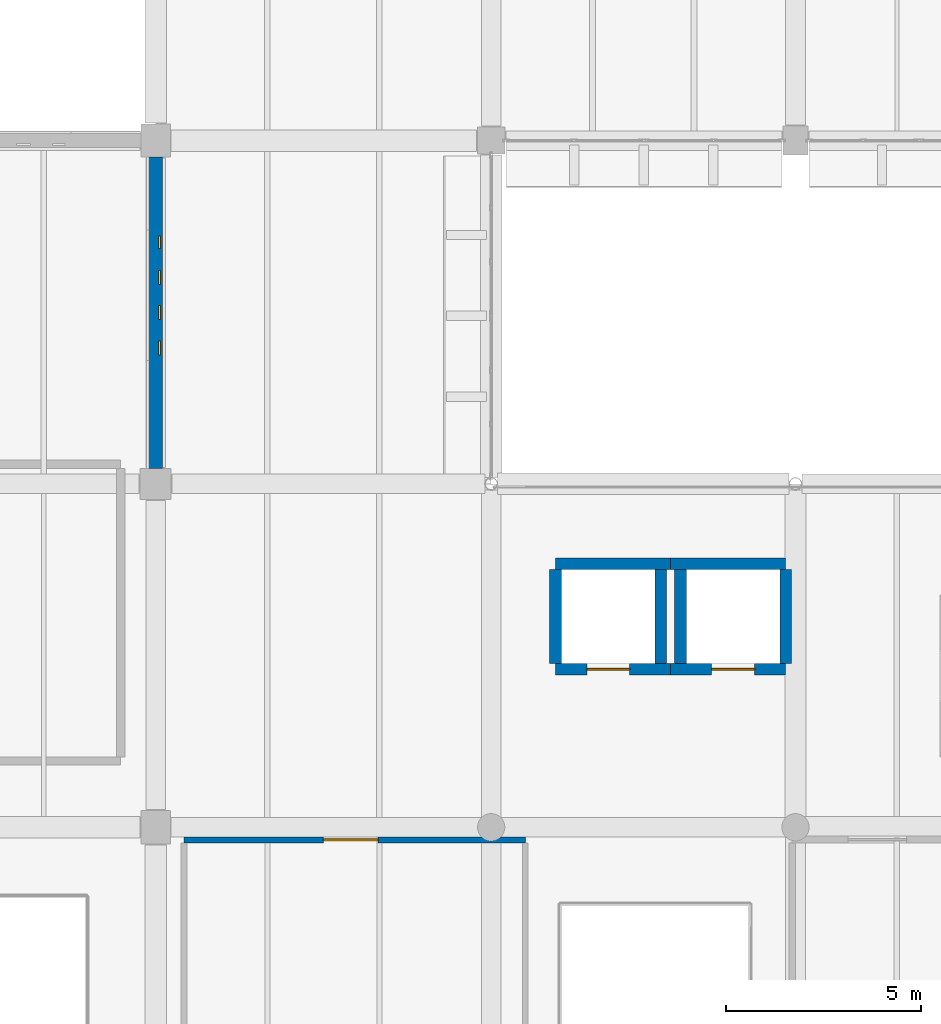
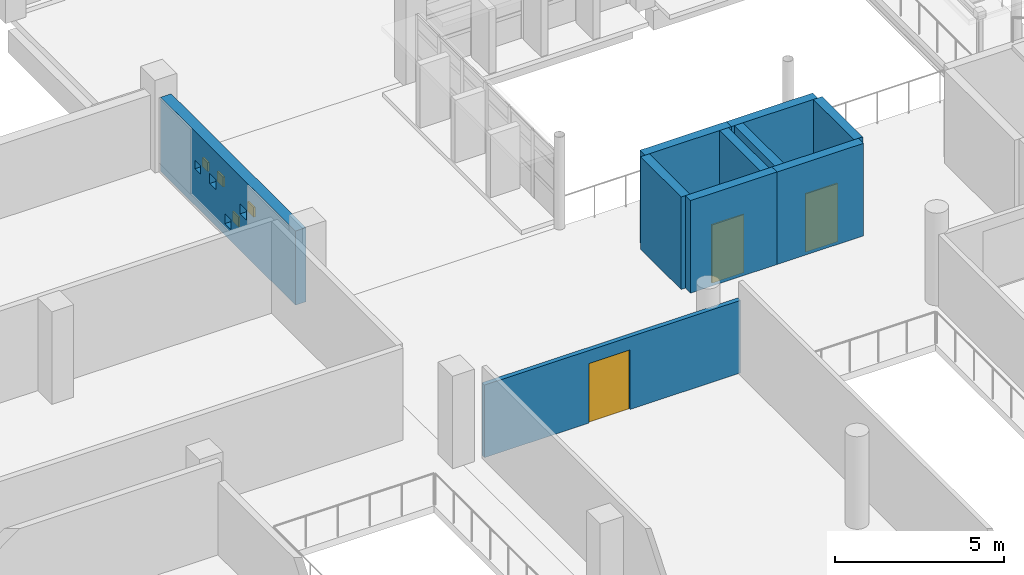
# One storey, part 58 of 75: 10 walls, 4 windows, 3 doors, 7 openings.
"""IFC4 building model written with IfcOpenShell, lengths in metres."""

from ifc_helpers import new_model, si_unit, direction, frame, frame_2d, origin, place, context, subcontext, project, spatial, rectangle, extrude, material, layer, layer_set, type_object, element, fill, save


model = new_model("IFC4")

# Units and contexts
model_context = context("Model", 3, precision=1e-05, world=origin(), true_north=direction((0.0, 1.0)))
body_context = subcontext(model_context, "Body", "Model", "MODEL_VIEW")
ifc_project = project(units=[si_unit("LENGTHUNIT", "METRE"), si_unit("AREAUNIT", "SQUARE_METRE"), si_unit("VOLUMEUNIT", "CUBIC_METRE"), si_unit("PLANEANGLEUNIT", "RADIAN"), si_unit("MASSUNIT", "GRAM", prefix="KILO")], contexts=[model_context])

# Site, building, storey
site_placement = place(None, origin())
site = spatial("IfcSite", under=ifc_project, at=site_placement, CompositionType="ELEMENT")
building_placement = place(site_placement, origin())
building = spatial("IfcBuilding", under=site, at=building_placement, Name="Varnakota Cinema and Media Centre", CompositionType="ELEMENT")
storey_placement = place(building_placement, frame((0.0, 0.0, 8.39990234375)))
storey = spatial("IfcBuildingStorey", under=building, at=storey_placement, Name="L02", CompositionType="ELEMENT", Elevation=8.39990234375)

# Wall, opening, door
ifc_material_1 = material(Name="Concrete M40", Category="concrete")
ifc_layer_1 = layer(ifc_material_1, 0.300048828125)
ifc_layer_set_1 = layer_set([ifc_layer_1], Name="Concrete M40")
wall_type_1 = type_object("IfcWallType", Name="W-CORE-300", PredefinedType="SHEAR", material=ifc_layer_set_1)
wall_1_placement = place(storey_placement, frame((56.199951171875, 21.64990234375, 0.0), z_axis=(0.0, 0.0, 1.0), x_axis=(-1.0, 0.0, 0.0)))
wall_1 = element("IfcWall", 1, at=wall_1_placement, inside=storey, type_object=wall_type_1, Name="L02 LSHAFT-LF-05-L02 S wall", PredefinedType="SHEAR", context=body_context, shape_type="SweptSolid", body=[
    extrude(rectangle(XDim=2.949951171875, YDim=0.300048828125, at=frame_2d((1.47509765625, 0.0))), origin(), (0.0, 0.0, 1.0), 3.340087890625),
])
opening_1_placement = place(wall_1_placement, frame((1.050048828125, 0.0, 0.0)))
opening_1 = element("IfcOpeningElement", 2, at=opening_1_placement, cuts=wall_1, Name="Opening LD-05", PredefinedType="OPENING", context=body_context, shape_type="SweptSolid", body=[
    extrude(rectangle(XDim=1.10009765625, YDim=2.10009765625, at=frame_2d((0.550048828125, 1.050048828125))), frame((0.0, 0.14990234375, 0.0), z_axis=(0.0, -1.0, 0.0), x_axis=(1.0, 0.0, 0.0)), (0.0, 0.0, 1.0), 0.300048828125),
])
ifc_material_2 = material(Name="Thermally broken anodised aluminium AW-6063", Category="aluminium")
door_type_1 = type_object("IfcDoorType", Name="DR-LIFT-1100x2100", OperationType="SLIDING_TO_LEFT", PredefinedType="DOOR", material=ifc_material_2)
door_1_placement = place(opening_1_placement, origin())
door_1 = element("IfcDoor", 3, at=door_1_placement, inside=storey, type_object=door_type_1, Name="L02 door LD-05", OperationType="SLIDING_TO_LEFT", OverallHeight=2.10009765625, OverallWidth=1.10009765625, PredefinedType="DOOR", context=body_context, shape_type="SweptSolid", body=[
    extrude(rectangle(XDim=1.10009765625, YDim=2.10009765625, at=frame_2d((0.550048828125, 1.050048828125))), frame((0.0, 0.02490234375, 0.0), z_axis=(0.0, -1.0, 0.0), x_axis=(1.0, 0.0, 0.0)), (0.0, 0.0, 1.0), 0.050048828125),
])
fill(opening_1, door_1)

# Walls
wall_2_placement = place(storey_placement, frame((53.25, 21.800048828125, 0.0), z_axis=(0.0, 0.0, 1.0), x_axis=(0.0, 1.0, 0.0)))
element("IfcWall", 4, at=wall_2_placement, inside=storey, type_object=wall_type_1, Name="L02 LSHAFT-LF-05-L02 W wall", PredefinedType="SHEAR", context=body_context, shape_type="SweptSolid", body=[
    extrude(rectangle(XDim=2.39990234375, YDim=0.300048828125, at=frame_2d((1.199951171875, 0.0))), origin(), (0.0, 0.0, 1.0), 3.340087890625),
])
wall_3_placement = place(storey_placement, frame((53.25, 24.35009765625, 0.0), z_axis=(0.0, 0.0, 1.0), x_axis=(1.0, 0.0, 0.0)))
element("IfcWall", 5, at=wall_3_placement, inside=storey, type_object=wall_type_1, Name="L02 LSHAFT-LF-05-L02 N wall", PredefinedType="SHEAR", context=body_context, shape_type="SweptSolid", body=[
    extrude(rectangle(XDim=2.949951171875, YDim=0.300048828125, at=frame_2d((1.47509765625, 0.0))), origin(), (0.0, 0.0, 1.0), 3.340087890625),
])
wall_4_placement = place(storey_placement, frame((55.949951171875, 24.199951171875, 0.0), z_axis=(0.0, 0.0, 1.0), x_axis=(0.0, -1.0, 0.0)))
element("IfcWall", 6, at=wall_4_placement, inside=storey, type_object=wall_type_1, Name="L02 LSHAFT-LF-05-L02 E wall", PredefinedType="SHEAR", context=body_context, shape_type="SweptSolid", body=[
    extrude(rectangle(XDim=2.39990234375, YDim=0.300048828125, at=frame_2d((1.199951171875, 0.0))), origin(), (0.0, 0.0, 1.0), 3.340087890625),
])

# Wall, opening, door
wall_5_placement = place(storey_placement, frame((59.14990234375, 21.64990234375, 0.0), z_axis=(0.0, 0.0, 1.0), x_axis=(-1.0, 0.0, 0.0)))
wall_5 = element("IfcWall", 7, at=wall_5_placement, inside=storey, type_object=wall_type_1, Name="L02 LSHAFT-LF-06-L02 S wall", PredefinedType="SHEAR", context=body_context, shape_type="SweptSolid", body=[
    extrude(rectangle(XDim=2.949951171875, YDim=0.300048828125, at=frame_2d((1.47509765625, 0.0))), origin(), (0.0, 0.0, 1.0), 3.340087890625),
])
opening_2_placement = place(wall_5_placement, frame((0.800048828125, 0.0, 0.0)))
opening_2 = element("IfcOpeningElement", 8, at=opening_2_placement, cuts=wall_5, Name="Opening LD-06", PredefinedType="OPENING", context=body_context, shape_type="SweptSolid", body=[
    extrude(rectangle(XDim=1.10009765625, YDim=2.10009765625, at=frame_2d((0.550048828125, 1.050048828125))), frame((0.0, 0.14990234375, 0.0), z_axis=(0.0, -1.0, 0.0), x_axis=(1.0, 0.0, 0.0)), (0.0, 0.0, 1.0), 0.300048828125),
])
door_2_placement = place(opening_2_placement, origin())
door_2 = element("IfcDoor", 9, at=door_2_placement, inside=storey, type_object=door_type_1, Name="L02 door LD-06", OperationType="SLIDING_TO_LEFT", OverallHeight=2.10009765625, OverallWidth=1.10009765625, PredefinedType="DOOR", context=body_context, shape_type="SweptSolid", body=[
    extrude(rectangle(XDim=1.10009765625, YDim=2.10009765625, at=frame_2d((0.550048828125, 1.050048828125))), frame((0.0, 0.02490234375, 0.0), z_axis=(0.0, -1.0, 0.0), x_axis=(1.0, 0.0, 0.0)), (0.0, 0.0, 1.0), 0.050048828125),
])
fill(opening_2, door_2)

# Walls
wall_6_placement = place(storey_placement, frame((56.449951171875, 21.800048828125, 0.0), z_axis=(0.0, 0.0, 1.0), x_axis=(0.0, 1.0, 0.0)))
element("IfcWall", 10, at=wall_6_placement, inside=storey, type_object=wall_type_1, Name="L02 LSHAFT-LF-06-L02 W wall", PredefinedType="SHEAR", context=body_context, shape_type="SweptSolid", body=[
    extrude(rectangle(XDim=2.39990234375, YDim=0.300048828125, at=frame_2d((1.199951171875, 0.0))), origin(), (0.0, 0.0, 1.0), 3.340087890625),
])
wall_7_placement = place(storey_placement, frame((56.199951171875, 24.35009765625, 0.0), z_axis=(0.0, 0.0, 1.0), x_axis=(1.0, 0.0, 0.0)))
element("IfcWall", 11, at=wall_7_placement, inside=storey, type_object=wall_type_1, Name="L02 LSHAFT-LF-06-L02 N wall", PredefinedType="SHEAR", context=body_context, shape_type="SweptSolid", body=[
    extrude(rectangle(XDim=2.949951171875, YDim=0.300048828125, at=frame_2d((1.47509765625, 0.0))), origin(), (0.0, 0.0, 1.0), 3.340087890625),
])
wall_8_placement = place(storey_placement, frame((59.14990234375, 24.199951171875, 0.0), z_axis=(0.0, 0.0, 1.0), x_axis=(0.0, -1.0, 0.0)))
element("IfcWall", 12, at=wall_8_placement, inside=storey, type_object=wall_type_1, Name="L02 LSHAFT-LF-06-L02 E wall", PredefinedType="SHEAR", context=body_context, shape_type="SweptSolid", body=[
    extrude(rectangle(XDim=2.39990234375, YDim=0.300048828125, at=frame_2d((1.199951171875, 0.0))), origin(), (0.0, 0.0, 1.0), 3.340087890625),
])

# Wall, openings, windows
ifc_material_3 = material(Name="Pale Tandur limestone cladding", Category="masonry")
ifc_layer_2 = layer(ifc_material_3, 0.360107421875)
ifc_layer_set_2 = layer_set([ifc_layer_2], Name="Pale Tandur limestone cladding")
wall_type_2 = type_object("IfcWallType", Name="W-EXT-TANDUR-360", PredefinedType="SOLIDWALL", material=ifc_layer_set_2)
wall_9_placement = place(storey_placement, frame((43.0, 26.800048828125, 0.0), z_axis=(0.0, 0.0, 1.0), x_axis=(0.0, 1.0, 0.0)))
wall_9 = element("IfcWall", 13, at=wall_9_placement, inside=storey, type_object=wall_type_2, Name="L02 V4 pale Tandur stone monolith wall V4-CHE-01", PredefinedType="SOLIDWALL", context=body_context, shape_type="SweptSolid", body=[
    extrude(rectangle(XDim=7.974853515625, YDim=0.360107421875, at=frame_2d((3.9873046875, 0.0))), origin(), (0.0, 0.0, 1.0), 2.675048828125),
])
opening_3_placement = place(wall_9_placement, frame((2.907470703125, 0.0, 1.320068359375)))
opening_3 = element("IfcOpeningElement", 14, at=opening_3_placement, cuts=wall_9, Name="Opening WP11", PredefinedType="OPENING", context=body_context, shape_type="SweptSolid", body=[
    extrude(rectangle(XDim=0.360107421875, YDim=0.360107421875, at=frame_2d((0.18017578125, 0.18017578125))), frame((0.0, 0.18017578125, 0.0), z_axis=(0.0, -1.0, 0.0), x_axis=(1.0, 0.0, 0.0)), (0.0, 0.0, 1.0), 0.360107421875),
])
opening_4_placement = place(wall_9_placement, frame((3.8076171875, 0.0, 0.419921875)))
opening_4 = element("IfcOpeningElement", 15, at=opening_4_placement, cuts=wall_9, Name="Opening WP11", PredefinedType="OPENING", context=body_context, shape_type="SweptSolid", body=[
    extrude(rectangle(XDim=0.360107421875, YDim=0.360107421875, at=frame_2d((0.18017578125, 0.18017578125))), frame((0.0, 0.18017578125, 0.0), z_axis=(0.0, -1.0, 0.0), x_axis=(1.0, 0.0, 0.0)), (0.0, 0.0, 1.0), 0.360107421875),
])
opening_5_placement = place(wall_9_placement, frame((4.70751953125, 0.0, 1.320068359375)))
opening_5 = element("IfcOpeningElement", 16, at=opening_5_placement, cuts=wall_9, Name="Opening WP11", PredefinedType="OPENING", context=body_context, shape_type="SweptSolid", body=[
    extrude(rectangle(XDim=0.360107421875, YDim=0.360107421875, at=frame_2d((0.18017578125, 0.18017578125))), frame((0.0, 0.18017578125, 0.0), z_axis=(0.0, -1.0, 0.0), x_axis=(1.0, 0.0, 0.0)), (0.0, 0.0, 1.0), 0.360107421875),
])
opening_6_placement = place(wall_9_placement, frame((5.62744140625, 0.0, 1.320068359375)))
opening_6 = element("IfcOpeningElement", 17, at=opening_6_placement, cuts=wall_9, Name="Opening WP13", PredefinedType="OPENING", context=body_context, shape_type="SweptSolid", body=[
    extrude(rectangle(XDim=0.320068359375, YDim=0.320068359375, at=frame_2d((0.16015625, 0.16015625))), frame((0.0, 0.18017578125, 0.0), z_axis=(0.0, -1.0, 0.0), x_axis=(1.0, 0.0, 0.0)), (0.0, 0.0, 1.0), 0.360107421875),
])
ifc_material_4 = material(Name="Laminated solar-control double glazing", Category="glass")
window_type_1 = type_object("IfcWindowType", Name="WIN-PIERCE-11", PartitioningType="SINGLE_PANEL", PredefinedType="WINDOW", material=ifc_material_4)
window_1_placement = place(opening_3_placement, origin())
window_1 = element("IfcWindow", 18, at=window_1_placement, inside=storey, type_object=window_type_1, Name="L02 window WP11", OverallHeight=0.360107421875, OverallWidth=0.360107421875, PartitioningType="SINGLE_PANEL", PredefinedType="WINDOW", context=body_context, shape_type="SweptSolid", body=[
    extrude(rectangle(XDim=0.360107421875, YDim=0.360107421875, at=frame_2d((0.18017578125, 0.18017578125))), frame((0.0, -0.070068359375, 0.0), z_axis=(0.0, -1.0, 0.0), x_axis=(1.0, 0.0, 0.0)), (0.0, 0.0, 1.0), 0.06005859375),
])
fill(opening_3, window_1)
window_2_placement = place(opening_4_placement, origin())
window_2 = element("IfcWindow", 19, at=window_2_placement, inside=storey, type_object=window_type_1, Name="L02 window WP11", OverallHeight=0.360107421875, OverallWidth=0.360107421875, PartitioningType="SINGLE_PANEL", PredefinedType="WINDOW", context=body_context, shape_type="SweptSolid", body=[
    extrude(rectangle(XDim=0.360107421875, YDim=0.360107421875, at=frame_2d((0.18017578125, 0.18017578125))), frame((0.0, -0.070068359375, 0.0), z_axis=(0.0, -1.0, 0.0), x_axis=(1.0, 0.0, 0.0)), (0.0, 0.0, 1.0), 0.06005859375),
])
fill(opening_4, window_2)
window_3_placement = place(opening_5_placement, origin())
window_3 = element("IfcWindow", 20, at=window_3_placement, inside=storey, type_object=window_type_1, Name="L02 window WP11", OverallHeight=0.360107421875, OverallWidth=0.360107421875, PartitioningType="SINGLE_PANEL", PredefinedType="WINDOW", context=body_context, shape_type="SweptSolid", body=[
    extrude(rectangle(XDim=0.360107421875, YDim=0.360107421875, at=frame_2d((0.18017578125, 0.18017578125))), frame((0.0, -0.070068359375, 0.0), z_axis=(0.0, -1.0, 0.0), x_axis=(1.0, 0.0, 0.0)), (0.0, 0.0, 1.0), 0.06005859375),
])
fill(opening_5, window_3)
ifc_material_5 = material(Name="Laminated solar-control double glazing", Category="glass")
window_type_2 = type_object("IfcWindowType", Name="WIN-PIERCE-13", PartitioningType="SINGLE_PANEL", PredefinedType="WINDOW", material=ifc_material_5)
window_4_placement = place(opening_6_placement, origin())
window_4 = element("IfcWindow", 21, at=window_4_placement, inside=storey, type_object=window_type_2, Name="L02 window WP13", OverallHeight=0.320068359375, OverallWidth=0.320068359375, PartitioningType="SINGLE_PANEL", PredefinedType="WINDOW", context=body_context, shape_type="SweptSolid", body=[
    extrude(rectangle(XDim=0.320068359375, YDim=0.320068359375, at=frame_2d((0.16015625, 0.16015625))), frame((0.0, -0.070068359375, 0.0), z_axis=(0.0, -1.0, 0.0), x_axis=(1.0, 0.0, 0.0)), (0.0, 0.0, 1.0), 0.06005859375),
])
fill(opening_6, window_4)

# Wall, opening, door
ifc_material_6 = material(Name="Autoclaved aerated concrete blockwork", Category="masonry")
ifc_layer_3 = layer(ifc_material_6, 0.14990234375)
ifc_layer_set_3 = layer_set([ifc_layer_3], Name="Autoclaved aerated concrete blockwork")
wall_type_3 = type_object("IfcWallType", Name="W-PART-150", PredefinedType="PARTITIONING", material=ifc_layer_set_3)
wall_10_placement = place(storey_placement, frame((43.72509765625, 17.27490234375, 0.0), z_axis=(0.0, 0.0, 1.0), x_axis=(1.0, 0.0, 0.0)))
wall_10 = element("IfcWall", 22, at=wall_10_placement, inside=storey, type_object=wall_type_3, Name="L02 RWALL-RM-L02-LIBW N wall", PredefinedType="PARTITIONING", context=body_context, shape_type="SweptSolid", body=[
    extrude(rectangle(XDim=8.75, YDim=0.14990234375, at=frame_2d((4.375, 0.0))), origin(), (0.0, 0.0, 1.0), 2.6201171875),
])
opening_7_placement = place(wall_10_placement, frame((3.574951171875, 0.0, 0.0)))
opening_7 = element("IfcOpeningElement", 23, at=opening_7_placement, cuts=wall_10, Name="Opening D-079", PredefinedType="OPENING", context=body_context, shape_type="SweptSolid", body=[
    extrude(rectangle(XDim=1.39990234375, YDim=2.14990234375, at=frame_2d((0.699951171875, 1.074951171875))), frame((0.0, 0.074951171875, 0.0), z_axis=(0.0, -1.0, 0.0), x_axis=(1.0, 0.0, 0.0)), (0.0, 0.0, 1.0), 0.14990234375),
])
ifc_material_7 = material(Name="Thermally broken anodised aluminium AW-6063", Category="aluminium")
door_type_2 = type_object("IfcDoorType", Name="DR-STD-1400x2150", OperationType="DOUBLE_DOOR_SINGLE_SWING", PredefinedType="DOOR", material=ifc_material_7)
door_3_placement = place(opening_7_placement, origin())
door_3 = element("IfcDoor", 24, at=door_3_placement, inside=storey, type_object=door_type_2, Name="L02 door D-079", OperationType="DOUBLE_DOOR_SINGLE_SWING", OverallHeight=2.14990234375, OverallWidth=1.39990234375, PredefinedType="DOOR", context=body_context, shape_type="SweptSolid", body=[
    extrude(rectangle(XDim=1.39990234375, YDim=2.14990234375, at=frame_2d((0.699951171875, 1.074951171875))), frame((0.0, 0.02490234375, 0.0), z_axis=(0.0, -1.0, 0.0), x_axis=(1.0, 0.0, 0.0)), (0.0, 0.0, 1.0), 0.050048828125),
])
fill(opening_7, door_3)

save(model, "model.ifc")
